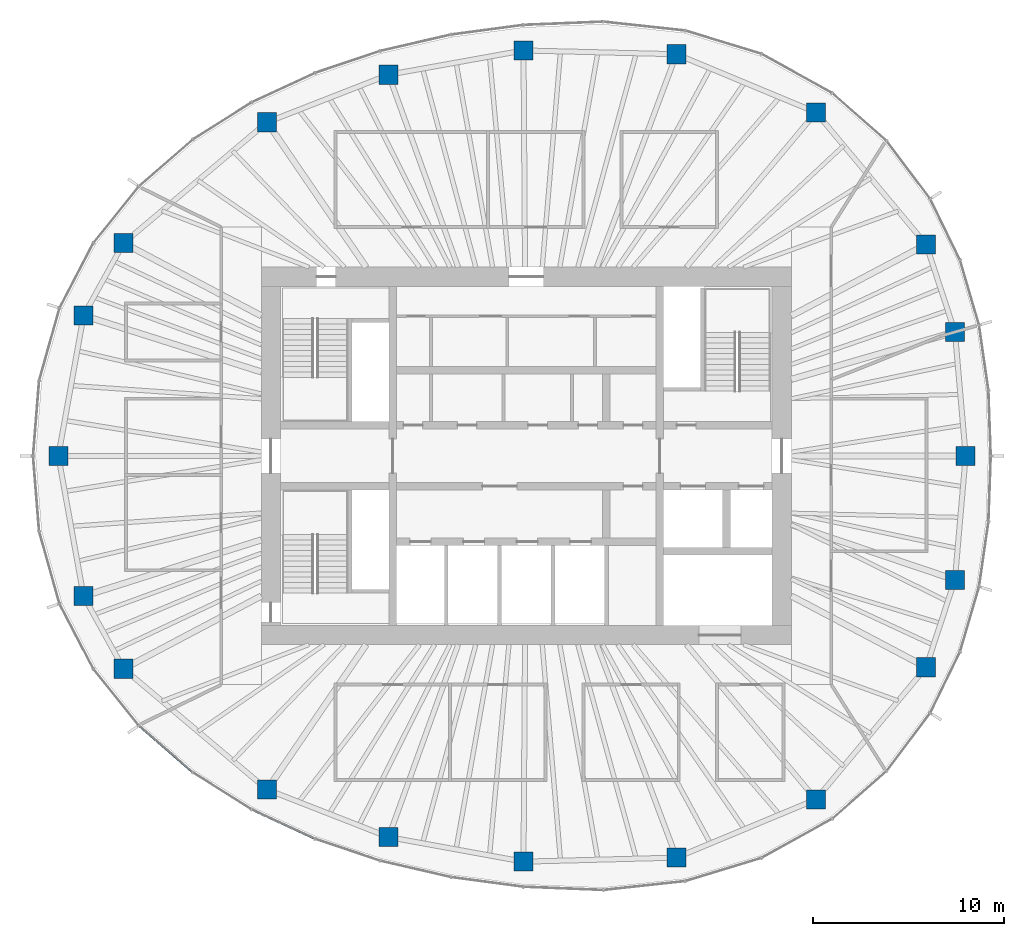
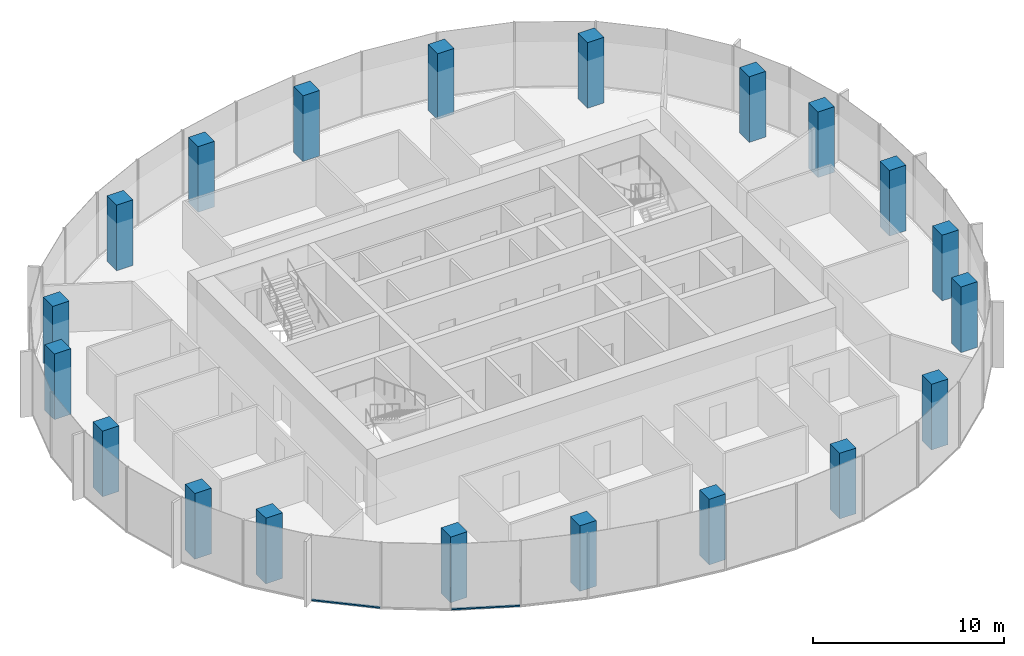
# One storey, part 1 of 11: 20 columns, 2 members, 2 elements without a shape of their own.
"""IFC4 building model written with IfcOpenShell, lengths in metres."""

from ifc_helpers import new_model, si_unit, direction, frame, origin, origin_2d, place, context, subcontext, project, spatial, rectangle, extrude, material, material_profile, profile_set, type_object, element, aggregate, save


model = new_model("IFC4")

# Units and contexts
model_context = context("Model", 3, precision=1e-05, world=origin(), true_north=direction((0.0, 1.0)))
body_context = subcontext(model_context, "Body", "Model", "MODEL_VIEW")
ifc_project = project(units=[si_unit("LENGTHUNIT", "METRE"), si_unit("AREAUNIT", "SQUARE_METRE"), si_unit("VOLUMEUNIT", "CUBIC_METRE"), si_unit("PLANEANGLEUNIT", "RADIAN"), si_unit("MASSUNIT", "GRAM", prefix="KILO")], contexts=[model_context])

# Site, building, storey
site_placement = place(None, origin())
site = spatial("IfcSite", under=ifc_project, at=site_placement, CompositionType="ELEMENT")
building_placement = place(site_placement, origin())
building = spatial("IfcBuilding", under=site, at=building_placement, Name="Ghaith Harvest Tower", CompositionType="ELEMENT")
storey_placement = place(building_placement, frame((0.0, 0.0, 325.800048828125)))
storey = spatial("IfcBuildingStorey", under=building, at=storey_placement, Name="L73", CompositionType="ELEMENT", Elevation=325.800048828125)

# Columns
ifc_material_1 = material(Name="Concrete C50/60", Category="concrete")
ifc_material_profile_1 = material_profile(ifc_material_1, rectangle(XDim=1.0, YDim=1.0, at=origin_2d()), Name="RC1000X1000")
ifc_profile_set_1 = profile_set([ifc_material_profile_1], Name="Concrete C50/60")
column_type = type_object("IfcColumnType", Name="TC8 RC1000X1000", PredefinedType="COLUMN", material=ifc_profile_set_1)
for number, where, z_axis, x_axis, name in (
    (1, (23.050048828125, 0.0, 0.0), (0.0, 0.0, 1.0), (1.0, 0.0, 0.0), "Perimeter column C01"),
    (2, (22.485107421875, 6.4990234375, 0.0), (0.0, 0.0, 1.0), (1.0, 0.0, 0.0), "Perimeter column C02"),
    (3, (20.97705078125, 11.087890625, 0.0), (0.0, 0.0, 1.0), (1.0, 0.0, 0.0), "Perimeter column C03"),
    (4, (15.197998046875, 18.02294921875, 0.0), (0.0, 0.0, 1.0), (1.0, 0.0, 0.0), "Perimeter column C04"),
    (5, (7.8779296875, 21.072021484375, 0.0), (0.0, 0.0, 1.0), (1.0, 0.0, 0.0), "Perimeter column C05"),
    (6, (-0.14599609375, 21.27099609375, 0.0), (0.0, 0.0, 1.0), (1.0, 0.0, 0.0), "Perimeter column C06"),
    (7, (-7.221923828125, 19.9970703125, 0.0), (0.0, 0.0, 1.0), (1.0, 0.0, 0.0), "Perimeter column C07"),
    (8, (-13.594970703125, 17.5048828125, 0.0), (0.0, 0.0, 1.0), (1.0, 0.0, 0.0), "Perimeter column C08"),
    (9, (-21.125, 11.166015625, 0.0), (0.0, 0.0, 1.0), (1.0, 0.0, 0.0), "Perimeter column C09"),
    (10, (-23.22412109375, 7.360107421875, 0.0), (0.0, 0.0, 1.0), (1.0, 0.0, 0.0), "Perimeter column C10"),
    (11, (-24.550048828125, 0.0, 0.0), (0.0, 0.0, 1.0), (1.0, 0.0, 0.0), "Perimeter column C11"),
    (12, (-23.22412109375, -7.360107421875, 0.0), (0.0, 0.0, 1.0), (1.0, 0.0, 0.0), "Perimeter column C12"),
    (13, (-21.125, -11.166015625, 0.0), (0.0, 0.0, 1.0), (1.0, 0.0, 0.0), "Perimeter column C13"),
    (14, (-13.594970703125, -17.5048828125, 0.0), (0.0, 0.0, 1.0), (1.0, 0.0, 0.0), "Perimeter column C14"),
    (15, (-7.221923828125, -19.9970703125, 0.0), (0.0, 0.0, 1.0), (1.0, 0.0, 0.0), "Perimeter column C15"),
    (16, (-0.14599609375, -21.285888671875, 0.0), (0.0, 0.0, 1.0), (1.0, 0.0, 0.0), "Perimeter column C16"),
    (17, (7.8779296875, -21.072021484375, 0.0), (0.0, 0.0, 1.0), (1.0, 0.0, 0.0), "Perimeter column C17"),
    (18, (15.197998046875, -18.02294921875, 0.0), (0.0, 0.0, 1.0), (1.0, 0.0, 0.0), "Perimeter column C18"),
    (19, (20.97705078125, -11.087890625, 0.0), (0.0, 0.0, 1.0), (1.0, 0.0, 0.0), "Perimeter column C19"),
    (20, (22.485107421875, -6.4990234375, 0.0), (0.0, 0.0, 1.0), (1.0, 0.0, 0.0), "Perimeter column C20"),
):
    element("IfcColumn", number, at=place(storey_placement, frame(where, z_axis=z_axis, x_axis=x_axis)), inside=storey, type_object=column_type, Name=name, PredefinedType="COLUMN", context=body_context, shape_type="SweptSolid", body=[
        extrude(rectangle(XDim=1.0, YDim=1.0, at=origin_2d()), origin(), (0.0, 0.0, 1.0), 4.199951171875),
    ])

# Curtain wall, member
ifc_material_2 = material(Name="Black anodised aluminium and fritted glass", Category="aluminium")
curtain_wall_type = type_object("IfcCurtainWallType", Name="CW-T CURTAIN WALL", PredefinedType="NOTDEFINED", material=ifc_material_2)
curtain_wall_1_placement = place(storey_placement, origin())
curtain_wall_1 = element("IfcCurtainWall", 21, at=curtain_wall_1_placement, inside=storey, type_object=curtain_wall_type, Name="Curtain wall CW-T bay 13 L73", PredefinedType="NOTDEFINED")
ifc_material_3 = material(Name="Aluminium, black anodised", Category="aluminium")
ifc_material_profile_2 = material_profile(ifc_material_3, rectangle(XDim=0.1201171875, YDim=0.080078125, at=origin_2d()), Name="CW-T TRANSOM 120x80")
ifc_profile_set_2 = profile_set([ifc_material_profile_2], Name="Aluminium, black anodised")
member_type = type_object("IfcMemberType", Name="CW-T TRANSOM 120x80", PredefinedType="USERDEFINED", material=ifc_profile_set_2)
member_1_placement = place(storey_placement, frame((-20.294189453125, -14.168212890625, 0.0400390625), z_axis=(0.754851889287, -0.65589528527, 0.0), x_axis=(0.65589528527, 0.754851889287, 0.0)))
member_1 = element("IfcMember", 22, at=member_1_placement, type_object=member_type, Name="CW-T transom 1 bay 13 L73", ObjectType="TRANSOM", PredefinedType="USERDEFINED", context=body_context, shape_type="SweptSolid", body=[
    extrude(rectangle(XDim=0.1201171875, YDim=0.080078125, at=origin_2d()), origin(), (0.0, 0.0, 1.0), 3.668701171875),
])
aggregate(curtain_wall_1, [member_1])

curtain_wall_2_placement = place(storey_placement, origin())
curtain_wall_2 = element("IfcCurtainWall", 23, at=curtain_wall_2_placement, inside=storey, type_object=curtain_wall_type, Name="Curtain wall CW-T bay 14 L73", PredefinedType="NOTDEFINED")
member_2_placement = place(storey_placement, frame((-14.36865234375, -18.564697265625, 0.0400390625), z_axis=(0.907472177056, -0.420112184862, 0.0), x_axis=(0.420112184862, 0.907472177056, 0.0)))
member_2 = element("IfcMember", 24, at=member_2_placement, type_object=member_type, Name="CW-T transom 1 bay 14 L73", ObjectType="TRANSOM", PredefinedType="USERDEFINED", context=body_context, shape_type="SweptSolid", body=[
    extrude(rectangle(XDim=0.1201171875, YDim=0.080078125, at=origin_2d()), origin(), (0.0, 0.0, 1.0), 3.597900390625),
])
aggregate(curtain_wall_2, [member_2])

save(model, "model.ifc")
